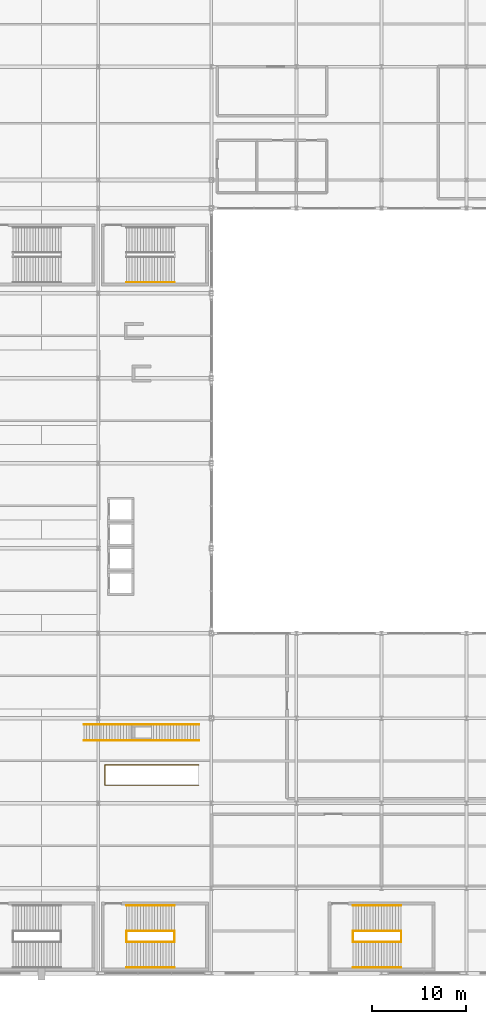
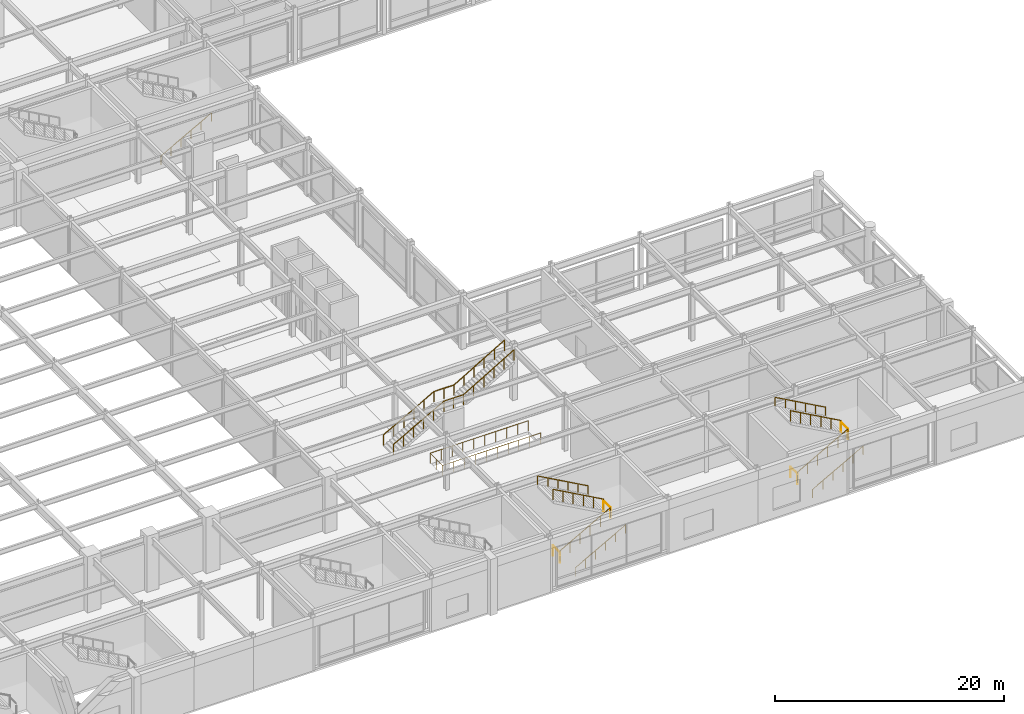
# One storey, part 104 of 105: 16 railings.
"""IFC4 building model written with IfcOpenShell, lengths in metres."""

from ifc_helpers import new_model, si_unit, direction, frame, origin, origin_2d, place, context, subcontext, project, spatial, circle, extrude, material, type_object, element, save


model = new_model("IFC4")

# Units and contexts
model_context = context("Model", 3, precision=1e-05, world=origin(), true_north=direction((0.0, 1.0)))
body_context = subcontext(model_context, "Body", "Model", "MODEL_VIEW")
ifc_project = project(units=[si_unit("LENGTHUNIT", "METRE"), si_unit("AREAUNIT", "SQUARE_METRE"), si_unit("VOLUMEUNIT", "CUBIC_METRE"), si_unit("PLANEANGLEUNIT", "RADIAN"), si_unit("MASSUNIT", "GRAM", prefix="KILO")], contexts=[model_context])

# Site, building, storey
site_placement = place(None, origin())
site = spatial("IfcSite", under=ifc_project, at=site_placement, CompositionType="ELEMENT")
building_placement = place(site_placement, origin())
building = spatial("IfcBuilding", under=site, at=building_placement, Name="Kaldorvane Square Convention Centre", CompositionType="ELEMENT")
storey_placement = place(building_placement, frame((0.0, 0.0, 6.0)))
storey = spatial("IfcBuildingStorey", under=building, at=storey_placement, Name="L01", CompositionType="ELEMENT", Elevation=6.0)

# Railings
ifc_material = material(Name="Architectural Painted Steel", Category="steel")
railing_type_1 = type_object("IfcRailingType", Name="RL-GUARD-1120", PredefinedType="BALUSTRADE", material=ifc_material)
for number, where, name in (
    (1, (128.99000549316406, 3.30999755859375, 0.0), "Convention Exit Stair C10 Floor Well Guard (L01)"),
    (2, (134.08999633789062, 3.30999755859375, 3.0), "Convention Exit Stair C10 Half-Landing Guard (L01)"),
):
    element("IfcRailing", number, at=place(storey_placement, frame(where)), inside=storey, type_object=railing_type_1, Name=name, PredefinedType="BALUSTRADE", context=body_context, shape_type="SweptSolid", body=[
        extrude(circle(Radius=0.0240020751953125, at=origin_2d()), frame((0.0, 0.0, 1.0959930419921875), z_axis=(0.0, 1.0, 0.0), x_axis=(-1.0, 0.0, 0.0)), (0.0, 0.0, 1.0), 1.19000244140625),
        extrude(circle(Radius=0.02099609375, at=origin_2d()), origin(), (0.0, 0.0, 1.0), 1.071990966796875),
        extrude(circle(Radius=0.02099609375, at=origin_2d()), frame((0.0, 1.19000244140625, 0.0)), (0.0, 0.0, 1.0), 1.071990966796875),
    ])
railing_1_placement = place(storey_placement, frame((128.99000549316406, 3.3000030517578125, 0.1666717529296875)))
element("IfcRailing", 3, at=railing_1_placement, inside=storey, type_object=railing_type_1, Name="Convention Exit Stair C10 Flight 1 Guard (L01)", PredefinedType="BALUSTRADE", context=body_context, shape_type="SweptSolid", body=[
    extrude(circle(Radius=0.0240020751953125, at=origin_2d()), frame((0.0, 0.0, 1.0959930419921875), z_axis=(0.874157276122, 0.0, 0.485642931179), x_axis=(0.0, 1.0, 0.0)), (0.0, 0.0, 1.0), 5.8341827392578125),
    extrude(circle(Radius=0.02099609375, at=origin_2d()), origin(), (0.0, 0.0, 1.0), 1.071990966796875),
    extrude(circle(Radius=0.02099609375, at=origin_2d()), frame((1.0200042724609375, 0.0, 0.5666656494140625)), (0.0, 0.0, 1.0), 1.071990966796875),
    extrude(circle(Radius=0.02099609375, at=origin_2d()), frame((2.0399932861328125, 0.0, 1.133331298828125)), (0.0, 0.0, 1.0), 1.071990966796875),
    extrude(circle(Radius=0.02099609375, at=origin_2d()), frame((3.05999755859375, 0.0, 1.6999969482421875)), (0.0, 0.0, 1.0), 1.071990966796875),
    extrude(circle(Radius=0.02099609375, at=origin_2d()), frame((4.079986572265625, 0.0, 2.26666259765625)), (0.0, 0.0, 1.0), 1.071990966796875),
    extrude(circle(Radius=0.02099609375, at=origin_2d()), frame((5.0999908447265625, 0.0, 2.8333282470703125)), (0.0, 0.0, 1.0), 1.071990966796875),
])
railing_2_placement = place(storey_placement, frame((134.08999633789062, 4.5099945068359375, 3.1666717529296875)))
element("IfcRailing", 4, at=railing_2_placement, inside=storey, type_object=railing_type_1, Name="Convention Exit Stair C10 Flight 2 Guard (L01)", PredefinedType="BALUSTRADE", context=body_context, shape_type="SweptSolid", body=[
    extrude(circle(Radius=0.0240020751953125, at=origin_2d()), frame((0.0, 0.0, 1.0959930419921875), z_axis=(-0.874157276122, 0.0, 0.485642931179), x_axis=(0.0, -1.0, 0.0)), (0.0, 0.0, 1.0), 5.8341827392578125),
    extrude(circle(Radius=0.02099609375, at=origin_2d()), origin(), (0.0, 0.0, 1.0), 1.071990966796875),
    extrude(circle(Radius=0.02099609375, at=origin_2d()), frame((-1.0200042724609375, 0.0, 0.5666656494140625)), (0.0, 0.0, 1.0), 1.071990966796875),
    extrude(circle(Radius=0.02099609375, at=origin_2d()), frame((-2.0399932861328125, 0.0, 1.133331298828125)), (0.0, 0.0, 1.0), 1.071990966796875),
    extrude(circle(Radius=0.02099609375, at=origin_2d()), frame((-3.05999755859375, 0.0, 1.6999969482421875)), (0.0, 0.0, 1.0), 1.071990966796875),
    extrude(circle(Radius=0.02099609375, at=origin_2d()), frame((-4.079986572265625, 0.0, 2.26666259765625)), (0.0, 0.0, 1.0), 1.071990966796875),
    extrude(circle(Radius=0.02099609375, at=origin_2d()), frame((-5.0999908447265625, 0.0, 2.8333282470703125)), (0.0, 0.0, 1.0), 1.071990966796875),
])
for number, where, name in (
    (5, (152.99000549316406, 3.30999755859375, 0.0), "Convention Exit Stair C11 Floor Well Guard (L01)"),
    (6, (158.08999633789062, 3.30999755859375, 3.0), "Convention Exit Stair C11 Half-Landing Guard (L01)"),
):
    element("IfcRailing", number, at=place(storey_placement, frame(where)), inside=storey, type_object=railing_type_1, Name=name, PredefinedType="BALUSTRADE", context=body_context, shape_type="SweptSolid", body=[
        extrude(circle(Radius=0.0240020751953125, at=origin_2d()), frame((0.0, 0.0, 1.0959930419921875), z_axis=(0.0, 1.0, 0.0), x_axis=(-1.0, 0.0, 0.0)), (0.0, 0.0, 1.0), 1.19000244140625),
        extrude(circle(Radius=0.02099609375, at=origin_2d()), origin(), (0.0, 0.0, 1.0), 1.071990966796875),
        extrude(circle(Radius=0.02099609375, at=origin_2d()), frame((0.0, 1.19000244140625, 0.0)), (0.0, 0.0, 1.0), 1.071990966796875),
    ])
railing_3_placement = place(storey_placement, frame((152.99000549316406, 3.3000030517578125, 0.1666717529296875)))
element("IfcRailing", 7, at=railing_3_placement, inside=storey, type_object=railing_type_1, Name="Convention Exit Stair C11 Flight 1 Guard (L01)", PredefinedType="BALUSTRADE", context=body_context, shape_type="SweptSolid", body=[
    extrude(circle(Radius=0.0240020751953125, at=origin_2d()), frame((0.0, 0.0, 1.0959930419921875), z_axis=(0.874157276122, 0.0, 0.485642931179), x_axis=(0.0, 1.0, 0.0)), (0.0, 0.0, 1.0), 5.8341827392578125),
    extrude(circle(Radius=0.02099609375, at=origin_2d()), origin(), (0.0, 0.0, 1.0), 1.071990966796875),
    extrude(circle(Radius=0.02099609375, at=origin_2d()), frame((1.0200042724609375, 0.0, 0.5666656494140625)), (0.0, 0.0, 1.0), 1.071990966796875),
    extrude(circle(Radius=0.02099609375, at=origin_2d()), frame((2.0399932861328125, 0.0, 1.133331298828125)), (0.0, 0.0, 1.0), 1.071990966796875),
    extrude(circle(Radius=0.02099609375, at=origin_2d()), frame((3.05999755859375, 0.0, 1.6999969482421875)), (0.0, 0.0, 1.0), 1.071990966796875),
    extrude(circle(Radius=0.02099609375, at=origin_2d()), frame((4.079986572265625, 0.0, 2.26666259765625)), (0.0, 0.0, 1.0), 1.071990966796875),
    extrude(circle(Radius=0.02099609375, at=origin_2d()), frame((5.0999908447265625, 0.0, 2.8333282470703125)), (0.0, 0.0, 1.0), 1.071990966796875),
])
railing_4_placement = place(storey_placement, frame((158.08999633789062, 4.5099945068359375, 3.1666717529296875)))
element("IfcRailing", 8, at=railing_4_placement, inside=storey, type_object=railing_type_1, Name="Convention Exit Stair C11 Flight 2 Guard (L01)", PredefinedType="BALUSTRADE", context=body_context, shape_type="SweptSolid", body=[
    extrude(circle(Radius=0.0240020751953125, at=origin_2d()), frame((0.0, 0.0, 1.0959930419921875), z_axis=(-0.874157276122, 0.0, 0.485642931179), x_axis=(0.0, -1.0, 0.0)), (0.0, 0.0, 1.0), 5.8341827392578125),
    extrude(circle(Radius=0.02099609375, at=origin_2d()), origin(), (0.0, 0.0, 1.0), 1.071990966796875),
    extrude(circle(Radius=0.02099609375, at=origin_2d()), frame((-1.0200042724609375, 0.0, 0.5666656494140625)), (0.0, 0.0, 1.0), 1.071990966796875),
    extrude(circle(Radius=0.02099609375, at=origin_2d()), frame((-2.0399932861328125, 0.0, 1.133331298828125)), (0.0, 0.0, 1.0), 1.071990966796875),
    extrude(circle(Radius=0.02099609375, at=origin_2d()), frame((-3.05999755859375, 0.0, 1.6999969482421875)), (0.0, 0.0, 1.0), 1.071990966796875),
    extrude(circle(Radius=0.02099609375, at=origin_2d()), frame((-4.079986572265625, 0.0, 2.26666259765625)), (0.0, 0.0, 1.0), 1.071990966796875),
    extrude(circle(Radius=0.02099609375, at=origin_2d()), frame((-5.0999908447265625, 0.0, 2.8333282470703125)), (0.0, 0.0, 1.0), 1.071990966796875),
])
railing_5_placement = place(storey_placement, frame((136.64999389648438, 19.919998168945312, 0.0)))
element("IfcRailing", 9, at=railing_5_placement, inside=storey, type_object=railing_type_1, Name="East Foyer Grand Stair F1 Upper Well Guard (L01)", PredefinedType="BALUSTRADE", context=body_context, shape_type="SweptSolid", body=[
    extrude(circle(Radius=0.0240020751953125, at=origin_2d()), frame((0.0, 0.0, 1.0959930419921875), z_axis=(-1.0, 0.0, 0.0), x_axis=(0.0, -1.0, 0.0)), (0.0, 0.0, 1.0), 9.92999267578125),
    extrude(circle(Radius=0.0240020751953125, at=origin_2d()), frame((-9.92999267578125, 0.0, 1.0959930419921875), z_axis=(0.0, 1.0, 0.0), x_axis=(-1.0, 0.0, 0.0)), (0.0, 0.0, 1.0), 2.160003662109375),
    extrude(circle(Radius=0.0240020751953125, at=origin_2d()), frame((-9.92999267578125, 2.160003662109375, 1.0959930419921875), z_axis=(1.0, 0.0, 0.0), x_axis=(0.0, 1.0, 0.0)), (0.0, 0.0, 1.0), 9.92999267578125),
    extrude(circle(Radius=0.02099609375, at=origin_2d()), origin(), (0.0, 0.0, 1.0), 1.071990966796875),
    extrude(circle(Radius=0.02099609375, at=origin_2d()), frame((-1.10333251953125, 0.0, 0.0)), (0.0, 0.0, 1.0), 1.071990966796875),
    extrude(circle(Radius=0.02099609375, at=origin_2d()), frame((-2.2066650390625, 0.0, 0.0)), (0.0, 0.0, 1.0), 1.071990966796875),
    extrude(circle(Radius=0.02099609375, at=origin_2d()), frame((-3.30999755859375, 0.0, 0.0)), (0.0, 0.0, 1.0), 1.071990966796875),
    extrude(circle(Radius=0.02099609375, at=origin_2d()), frame((-4.413330078125, 0.0, 0.0)), (0.0, 0.0, 1.0), 1.071990966796875),
    extrude(circle(Radius=0.02099609375, at=origin_2d()), frame((-5.51666259765625, 0.0, 0.0)), (0.0, 0.0, 1.0), 1.071990966796875),
    extrude(circle(Radius=0.02099609375, at=origin_2d()), frame((-6.6199951171875, 0.0, 0.0)), (0.0, 0.0, 1.0), 1.071990966796875),
    extrude(circle(Radius=0.02099609375, at=origin_2d()), frame((-7.72332763671875, 0.0, 0.0)), (0.0, 0.0, 1.0), 1.071990966796875),
    extrude(circle(Radius=0.02099609375, at=origin_2d()), frame((-8.82666015625, 0.0, 0.0)), (0.0, 0.0, 1.0), 1.071990966796875),
    extrude(circle(Radius=0.02099609375, at=origin_2d()), frame((-9.92999267578125, 0.0, 0.0)), (0.0, 0.0, 1.0), 1.071990966796875),
    extrude(circle(Radius=0.02099609375, at=origin_2d()), frame((-9.92999267578125, 1.0800018310546875, 0.0)), (0.0, 0.0, 1.0), 1.071990966796875),
    extrude(circle(Radius=0.02099609375, at=origin_2d()), frame((-9.92999267578125, 2.160003662109375, 0.0)), (0.0, 0.0, 1.0), 1.071990966796875),
    extrude(circle(Radius=0.02099609375, at=origin_2d()), frame((-8.82666015625, 2.160003662109375, 0.0)), (0.0, 0.0, 1.0), 1.071990966796875),
    extrude(circle(Radius=0.02099609375, at=origin_2d()), frame((-7.72332763671875, 2.160003662109375, 0.0)), (0.0, 0.0, 1.0), 1.071990966796875),
    extrude(circle(Radius=0.02099609375, at=origin_2d()), frame((-6.6199951171875, 2.160003662109375, 0.0)), (0.0, 0.0, 1.0), 1.071990966796875),
    extrude(circle(Radius=0.02099609375, at=origin_2d()), frame((-5.51666259765625, 2.160003662109375, 0.0)), (0.0, 0.0, 1.0), 1.071990966796875),
    extrude(circle(Radius=0.02099609375, at=origin_2d()), frame((-4.413330078125, 2.160003662109375, 0.0)), (0.0, 0.0, 1.0), 1.071990966796875),
    extrude(circle(Radius=0.02099609375, at=origin_2d()), frame((-3.30999755859375, 2.160003662109375, 0.0)), (0.0, 0.0, 1.0), 1.071990966796875),
    extrude(circle(Radius=0.02099609375, at=origin_2d()), frame((-2.2066650390625, 2.160003662109375, 0.0)), (0.0, 0.0, 1.0), 1.071990966796875),
    extrude(circle(Radius=0.02099609375, at=origin_2d()), frame((-1.10333251953125, 2.160003662109375, 0.0)), (0.0, 0.0, 1.0), 1.071990966796875),
    extrude(circle(Radius=0.02099609375, at=origin_2d()), frame((0.0, 2.160003662109375, 0.0)), (0.0, 0.0, 1.0), 1.071990966796875),
])
railing_6_placement = place(storey_placement, frame((124.47999572753906, 24.649993896484375, 0.1666717529296875)))
element("IfcRailing", 10, at=railing_6_placement, inside=storey, type_object=railing_type_1, Name="East Foyer Grand Stair F2 Balustrade S (L01)", PredefinedType="BALUSTRADE", context=body_context, shape_type="SweptSolid", body=[
    extrude(circle(Radius=0.0240020751953125, at=origin_2d()), frame((0.0, 0.0, 1.0959930419921875), z_axis=(0.874157892962, 0.0, 0.485641820864), x_axis=(0.0, 1.0, 0.0)), (0.0, 0.0, 1.0), 5.834197998046875),
    extrude(circle(Radius=0.0240020751953125, at=origin_2d()), frame((5.100006103515625, 0.0, 3.9293212890625), z_axis=(1.0, 0.0, 0.0), x_axis=(0.0, 1.0, 0.0)), (0.0, 0.0, 1.0), 2.0),
    extrude(circle(Radius=0.0240020751953125, at=origin_2d()), frame((7.100006103515625, 0.0, 3.9293212890625), z_axis=(0.861933817393, 0.0, 0.507020802763), x_axis=(0.0, 1.0, 0.0)), (0.0, 0.0, 1.0), 5.9169158935546875),
    extrude(circle(Radius=0.02099609375, at=origin_2d()), origin(), (0.0, 0.0, 1.0), 1.071990966796875),
    extrude(circle(Radius=0.02099609375, at=origin_2d()), frame((1.0200042724609375, 0.0, 0.5666656494140625)), (0.0, 0.0, 1.0), 1.071990966796875),
    extrude(circle(Radius=0.02099609375, at=origin_2d()), frame((2.040008544921875, 0.0, 1.133331298828125)), (0.0, 0.0, 1.0), 1.071990966796875),
    extrude(circle(Radius=0.02099609375, at=origin_2d()), frame((3.05999755859375, 0.0, 1.6999969482421875)), (0.0, 0.0, 1.0), 1.071990966796875),
    extrude(circle(Radius=0.02099609375, at=origin_2d()), frame((4.0800018310546875, 0.0, 2.26666259765625)), (0.0, 0.0, 1.0), 1.071990966796875),
    extrude(circle(Radius=0.02099609375, at=origin_2d()), frame((5.100006103515625, 0.0, 2.8333282470703125)), (0.0, 0.0, 1.0), 1.071990966796875),
    extrude(circle(Radius=0.02099609375, at=origin_2d()), frame((6.100006103515625, 0.0, 2.8333282470703125)), (0.0, 0.0, 1.0), 1.071990966796875),
    extrude(circle(Radius=0.02099609375, at=origin_2d()), frame((7.100006103515625, 0.0, 2.8333282470703125)), (0.0, 0.0, 1.0), 1.071990966796875),
    extrude(circle(Radius=0.02099609375, at=origin_2d()), frame((8.120010375976562, 0.0, 3.4333343505859375)), (0.0, 0.0, 1.0), 1.071990966796875),
    extrude(circle(Radius=0.02099609375, at=origin_2d()), frame((9.139999389648438, 0.0, 4.0333251953125)), (0.0, 0.0, 1.0), 1.071990966796875),
    extrude(circle(Radius=0.02099609375, at=origin_2d()), frame((10.160003662109375, 0.0, 4.633331298828125)), (0.0, 0.0, 1.0), 1.071990966796875),
    extrude(circle(Radius=0.02099609375, at=origin_2d()), frame((11.17999267578125, 0.0, 5.2333221435546875)), (0.0, 0.0, 1.0), 1.071990966796875),
    extrude(circle(Radius=0.02099609375, at=origin_2d()), frame((12.199996948242188, 0.0, 5.8333282470703125)), (0.0, 0.0, 1.0), 1.071990966796875),
])
railing_7_placement = place(storey_placement, frame((124.47999572753906, 26.350006103515625, 0.1666717529296875)))
element("IfcRailing", 11, at=railing_7_placement, inside=storey, type_object=railing_type_1, Name="East Foyer Grand Stair F2 Balustrade N (L01)", PredefinedType="BALUSTRADE", context=body_context, shape_type="SweptSolid", body=[
    extrude(circle(Radius=0.0240020751953125, at=origin_2d()), frame((0.0, 0.0, 1.0959930419921875), z_axis=(0.874157892962, 0.0, 0.485641820864), x_axis=(0.0, 1.0, 0.0)), (0.0, 0.0, 1.0), 5.834197998046875),
    extrude(circle(Radius=0.0240020751953125, at=origin_2d()), frame((5.100006103515625, 0.0, 3.9293212890625), z_axis=(1.0, 0.0, 0.0), x_axis=(0.0, 1.0, 0.0)), (0.0, 0.0, 1.0), 2.0),
    extrude(circle(Radius=0.0240020751953125, at=origin_2d()), frame((7.100006103515625, 0.0, 3.9293212890625), z_axis=(0.861933817393, 0.0, 0.507020802763), x_axis=(0.0, 1.0, 0.0)), (0.0, 0.0, 1.0), 5.9169158935546875),
    extrude(circle(Radius=0.02099609375, at=origin_2d()), origin(), (0.0, 0.0, 1.0), 1.071990966796875),
    extrude(circle(Radius=0.02099609375, at=origin_2d()), frame((1.0200042724609375, 0.0, 0.5666656494140625)), (0.0, 0.0, 1.0), 1.071990966796875),
    extrude(circle(Radius=0.02099609375, at=origin_2d()), frame((2.040008544921875, 0.0, 1.133331298828125)), (0.0, 0.0, 1.0), 1.071990966796875),
    extrude(circle(Radius=0.02099609375, at=origin_2d()), frame((3.05999755859375, 0.0, 1.6999969482421875)), (0.0, 0.0, 1.0), 1.071990966796875),
    extrude(circle(Radius=0.02099609375, at=origin_2d()), frame((4.0800018310546875, 0.0, 2.26666259765625)), (0.0, 0.0, 1.0), 1.071990966796875),
    extrude(circle(Radius=0.02099609375, at=origin_2d()), frame((5.100006103515625, 0.0, 2.8333282470703125)), (0.0, 0.0, 1.0), 1.071990966796875),
    extrude(circle(Radius=0.02099609375, at=origin_2d()), frame((6.100006103515625, 0.0, 2.8333282470703125)), (0.0, 0.0, 1.0), 1.071990966796875),
    extrude(circle(Radius=0.02099609375, at=origin_2d()), frame((7.100006103515625, 0.0, 2.8333282470703125)), (0.0, 0.0, 1.0), 1.071990966796875),
    extrude(circle(Radius=0.02099609375, at=origin_2d()), frame((8.120010375976562, 0.0, 3.4333343505859375)), (0.0, 0.0, 1.0), 1.071990966796875),
    extrude(circle(Radius=0.02099609375, at=origin_2d()), frame((9.139999389648438, 0.0, 4.0333251953125)), (0.0, 0.0, 1.0), 1.071990966796875),
    extrude(circle(Radius=0.02099609375, at=origin_2d()), frame((10.160003662109375, 0.0, 4.633331298828125)), (0.0, 0.0, 1.0), 1.071990966796875),
    extrude(circle(Radius=0.02099609375, at=origin_2d()), frame((11.17999267578125, 0.0, 5.2333221435546875)), (0.0, 0.0, 1.0), 1.071990966796875),
    extrude(circle(Radius=0.02099609375, at=origin_2d()), frame((12.199996948242188, 0.0, 5.8333282470703125)), (0.0, 0.0, 1.0), 1.071990966796875),
])
railing_type_2 = type_object("IfcRailingType", Name="RL-HAND-915", PredefinedType="HANDRAIL", material=ifc_material)
railing_8_placement = place(storey_placement, frame((128.99000549316406, 0.6199951171875, 0.1666717529296875)))
element("IfcRailing", 12, at=railing_8_placement, inside=storey, type_object=railing_type_2, Name="Convention Exit Stair C10 Wall Handrail 1 (L01)", PredefinedType="HANDRAIL", context=body_context, shape_type="SweptSolid", body=[
    extrude(circle(Radius=0.0240020751953125, at=origin_2d()), frame((0.0, 0.0, 0.8909912109375), z_axis=(0.874157276122, 0.0, 0.485642931179), x_axis=(0.0, 1.0, 0.0)), (0.0, 0.0, 1.0), 5.8341827392578125),
    extrude(circle(Radius=0.02099609375, at=origin_2d()), origin(), (0.0, 0.0, 1.0), 0.8669891357421875),
    extrude(circle(Radius=0.02099609375, at=origin_2d()), frame((1.0200042724609375, 0.0, 0.5666656494140625)), (0.0, 0.0, 1.0), 0.8669891357421875),
    extrude(circle(Radius=0.02099609375, at=origin_2d()), frame((2.0399932861328125, 0.0, 1.133331298828125)), (0.0, 0.0, 1.0), 0.8669891357421875),
    extrude(circle(Radius=0.02099609375, at=origin_2d()), frame((3.05999755859375, 0.0, 1.6999969482421875)), (0.0, 0.0, 1.0), 0.8669891357421875),
    extrude(circle(Radius=0.02099609375, at=origin_2d()), frame((4.079986572265625, 0.0, 2.26666259765625)), (0.0, 0.0, 1.0), 0.8669891357421875),
    extrude(circle(Radius=0.02099609375, at=origin_2d()), frame((5.0999908447265625, 0.0, 2.8333282470703125)), (0.0, 0.0, 1.0), 0.8669891357421875),
])
railing_9_placement = place(storey_placement, frame((134.08999633789062, 7.19000244140625, 3.1666717529296875)))
element("IfcRailing", 13, at=railing_9_placement, inside=storey, type_object=railing_type_2, Name="Convention Exit Stair C10 Wall Handrail 2 (L01)", PredefinedType="HANDRAIL", context=body_context, shape_type="SweptSolid", body=[
    extrude(circle(Radius=0.0240020751953125, at=origin_2d()), frame((0.0, 0.0, 0.8909912109375), z_axis=(-0.874157276122, 0.0, 0.485642931179), x_axis=(0.0, -1.0, 0.0)), (0.0, 0.0, 1.0), 5.8341827392578125),
    extrude(circle(Radius=0.02099609375, at=origin_2d()), origin(), (0.0, 0.0, 1.0), 0.8669891357421875),
    extrude(circle(Radius=0.02099609375, at=origin_2d()), frame((-1.0200042724609375, 0.0, 0.5666656494140625)), (0.0, 0.0, 1.0), 0.8669891357421875),
    extrude(circle(Radius=0.02099609375, at=origin_2d()), frame((-2.0399932861328125, 0.0, 1.133331298828125)), (0.0, 0.0, 1.0), 0.8669891357421875),
    extrude(circle(Radius=0.02099609375, at=origin_2d()), frame((-3.05999755859375, 0.0, 1.6999969482421875)), (0.0, 0.0, 1.0), 0.8669891357421875),
    extrude(circle(Radius=0.02099609375, at=origin_2d()), frame((-4.079986572265625, 0.0, 2.26666259765625)), (0.0, 0.0, 1.0), 0.8669891357421875),
    extrude(circle(Radius=0.02099609375, at=origin_2d()), frame((-5.0999908447265625, 0.0, 2.8333282470703125)), (0.0, 0.0, 1.0), 0.8669891357421875),
])
railing_10_placement = place(storey_placement, frame((152.99000549316406, 0.6199951171875, 0.1666717529296875)))
element("IfcRailing", 14, at=railing_10_placement, inside=storey, type_object=railing_type_2, Name="Convention Exit Stair C11 Wall Handrail 1 (L01)", PredefinedType="HANDRAIL", context=body_context, shape_type="SweptSolid", body=[
    extrude(circle(Radius=0.0240020751953125, at=origin_2d()), frame((0.0, 0.0, 0.8909912109375), z_axis=(0.874157276122, 0.0, 0.485642931179), x_axis=(0.0, 1.0, 0.0)), (0.0, 0.0, 1.0), 5.8341827392578125),
    extrude(circle(Radius=0.02099609375, at=origin_2d()), origin(), (0.0, 0.0, 1.0), 0.8669891357421875),
    extrude(circle(Radius=0.02099609375, at=origin_2d()), frame((1.0200042724609375, 0.0, 0.5666656494140625)), (0.0, 0.0, 1.0), 0.8669891357421875),
    extrude(circle(Radius=0.02099609375, at=origin_2d()), frame((2.0399932861328125, 0.0, 1.133331298828125)), (0.0, 0.0, 1.0), 0.8669891357421875),
    extrude(circle(Radius=0.02099609375, at=origin_2d()), frame((3.05999755859375, 0.0, 1.6999969482421875)), (0.0, 0.0, 1.0), 0.8669891357421875),
    extrude(circle(Radius=0.02099609375, at=origin_2d()), frame((4.079986572265625, 0.0, 2.26666259765625)), (0.0, 0.0, 1.0), 0.8669891357421875),
    extrude(circle(Radius=0.02099609375, at=origin_2d()), frame((5.0999908447265625, 0.0, 2.8333282470703125)), (0.0, 0.0, 1.0), 0.8669891357421875),
])
railing_11_placement = place(storey_placement, frame((158.08999633789062, 7.19000244140625, 3.1666717529296875)))
element("IfcRailing", 15, at=railing_11_placement, inside=storey, type_object=railing_type_2, Name="Convention Exit Stair C11 Wall Handrail 2 (L01)", PredefinedType="HANDRAIL", context=body_context, shape_type="SweptSolid", body=[
    extrude(circle(Radius=0.0240020751953125, at=origin_2d()), frame((0.0, 0.0, 0.8909912109375), z_axis=(-0.874157276122, 0.0, 0.485642931179), x_axis=(0.0, -1.0, 0.0)), (0.0, 0.0, 1.0), 5.8341827392578125),
    extrude(circle(Radius=0.02099609375, at=origin_2d()), origin(), (0.0, 0.0, 1.0), 0.8669891357421875),
    extrude(circle(Radius=0.02099609375, at=origin_2d()), frame((-1.0200042724609375, 0.0, 0.5666656494140625)), (0.0, 0.0, 1.0), 0.8669891357421875),
    extrude(circle(Radius=0.02099609375, at=origin_2d()), frame((-2.0399932861328125, 0.0, 1.133331298828125)), (0.0, 0.0, 1.0), 0.8669891357421875),
    extrude(circle(Radius=0.02099609375, at=origin_2d()), frame((-3.05999755859375, 0.0, 1.6999969482421875)), (0.0, 0.0, 1.0), 0.8669891357421875),
    extrude(circle(Radius=0.02099609375, at=origin_2d()), frame((-4.079986572265625, 0.0, 2.26666259765625)), (0.0, 0.0, 1.0), 0.8669891357421875),
    extrude(circle(Radius=0.02099609375, at=origin_2d()), frame((-5.0999908447265625, 0.0, 2.8333282470703125)), (0.0, 0.0, 1.0), 0.8669891357421875),
])
railing_12_placement = place(storey_placement, frame((128.99000549316406, 73.16999816894531, 0.1666717529296875)))
element("IfcRailing", 16, at=railing_12_placement, inside=storey, type_object=railing_type_2, Name="Convention Exit Stair C18 Wall Handrail 1 (L01)", PredefinedType="HANDRAIL", context=body_context, shape_type="SweptSolid", body=[
    extrude(circle(Radius=0.0240020751953125, at=origin_2d()), frame((0.0, 0.0, 0.8909912109375), z_axis=(0.874157276122, 0.0, 0.485642931179), x_axis=(0.0, 1.0, 0.0)), (0.0, 0.0, 1.0), 5.8341827392578125),
    extrude(circle(Radius=0.02099609375, at=origin_2d()), origin(), (0.0, 0.0, 1.0), 0.8669891357421875),
    extrude(circle(Radius=0.02099609375, at=origin_2d()), frame((1.0200042724609375, 0.0, 0.5666656494140625)), (0.0, 0.0, 1.0), 0.8669891357421875),
    extrude(circle(Radius=0.02099609375, at=origin_2d()), frame((2.0399932861328125, 0.0, 1.133331298828125)), (0.0, 0.0, 1.0), 0.8669891357421875),
    extrude(circle(Radius=0.02099609375, at=origin_2d()), frame((3.05999755859375, 0.0, 1.6999969482421875)), (0.0, 0.0, 1.0), 0.8669891357421875),
    extrude(circle(Radius=0.02099609375, at=origin_2d()), frame((4.079986572265625, 0.0, 2.26666259765625)), (0.0, 0.0, 1.0), 0.8669891357421875),
    extrude(circle(Radius=0.02099609375, at=origin_2d()), frame((5.0999908447265625, 0.0, 2.8333282470703125)), (0.0, 0.0, 1.0), 0.8669891357421875),
])

save(model, "model.ifc")
